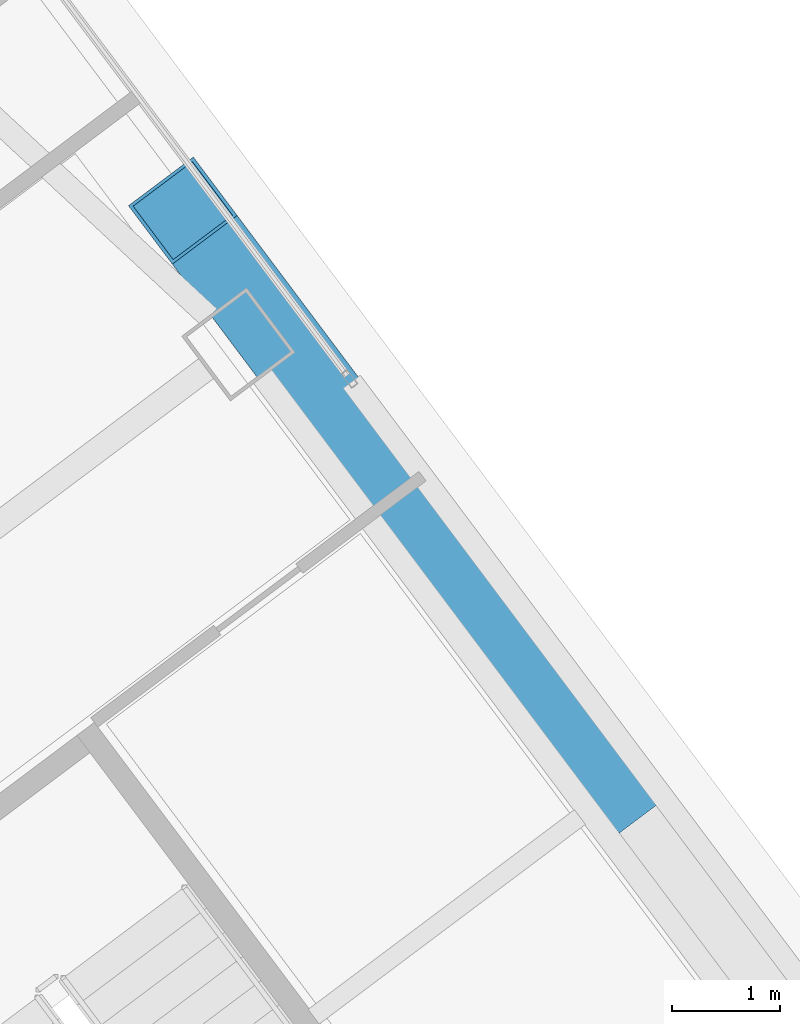
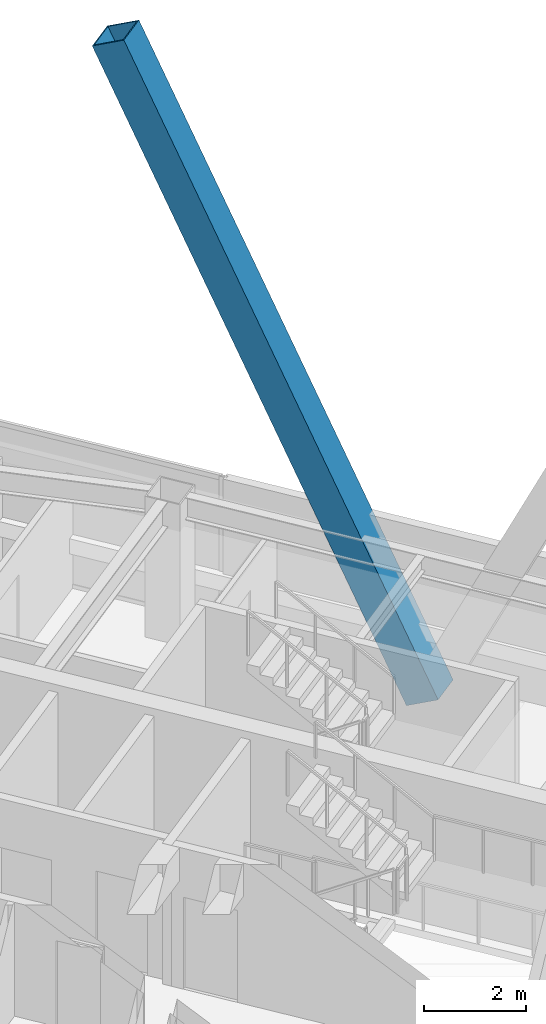
# One storey, part 34 of 47: 1 member.
"""IFC4 building model written with IfcOpenShell, lengths in metres."""

from ifc_helpers import new_model, si_unit, direction, frame, origin, origin_2d, place, context, subcontext, project, spatial, hollow_rectangle, extrude, material, material_profile, profile_set, type_object, element, save


model = new_model("IFC4")

# Units and contexts
model_context = context("Model", 3, precision=1e-05, world=origin(), true_north=direction((0.0, 1.0)))
body_context = subcontext(model_context, "Body", "Model", "MODEL_VIEW")
ifc_project = project(units=[si_unit("LENGTHUNIT", "METRE"), si_unit("AREAUNIT", "SQUARE_METRE"), si_unit("VOLUMEUNIT", "CUBIC_METRE"), si_unit("PLANEANGLEUNIT", "RADIAN"), si_unit("MASSUNIT", "GRAM", prefix="KILO")], contexts=[model_context])

# Site, building, storey
site_placement = place(None, origin())
site = spatial("IfcSite", under=ifc_project, at=site_placement, CompositionType="ELEMENT")
building_placement = place(site_placement, origin())
building = spatial("IfcBuilding", under=site, at=building_placement, Name="Tashvorn Skyway Center", CompositionType="ELEMENT")
storey_placement = place(building_placement, frame((0.0, 0.0, 204.199951171875)))
storey = spatial("IfcBuildingStorey", under=building, at=storey_placement, Name="L55", CompositionType="ELEMENT", Elevation=204.199951171875)

# Member
ifc_material = material(Name="Steel ASTM A572 Grade 50", Category="steel")
ifc_material_profile = material_profile(ifc_material, hollow_rectangle(XDim=0.75, YDim=0.75, WallThickness=0.031982421875, at=origin_2d()), Name="BOX750x750x32")
ifc_profile_set = profile_set([ifc_material_profile], Name="Steel ASTM A572 Grade 50")
member_type = type_object("IfcMemberType", Name="MEM-MB-750", PredefinedType="BRACE", material=ifc_profile_set)
member_placement = place(storey_placement, frame((126.14404296875, 41.10791015625, -0.199951171875), z_axis=(-0.259765967761, 0.346359882315, 0.901419144414), x_axis=(-0.800004372583, -0.599994169845, 0.0)))
element("IfcMember", 1, at=member_placement, inside=storey, type_object=member_type, Name="Tower 2 Zone 5 E Chevron Mega-Brace R1", PredefinedType="BRACE", context=body_context, shape_type="SweptSolid", body=[
    extrude(hollow_rectangle(XDim=0.75, YDim=0.75, WallThickness=0.031982421875, at=origin_2d()), origin(), (0.0, 0.0, 1.0), 15.4755859375),
])

save(model, "model.ifc")
